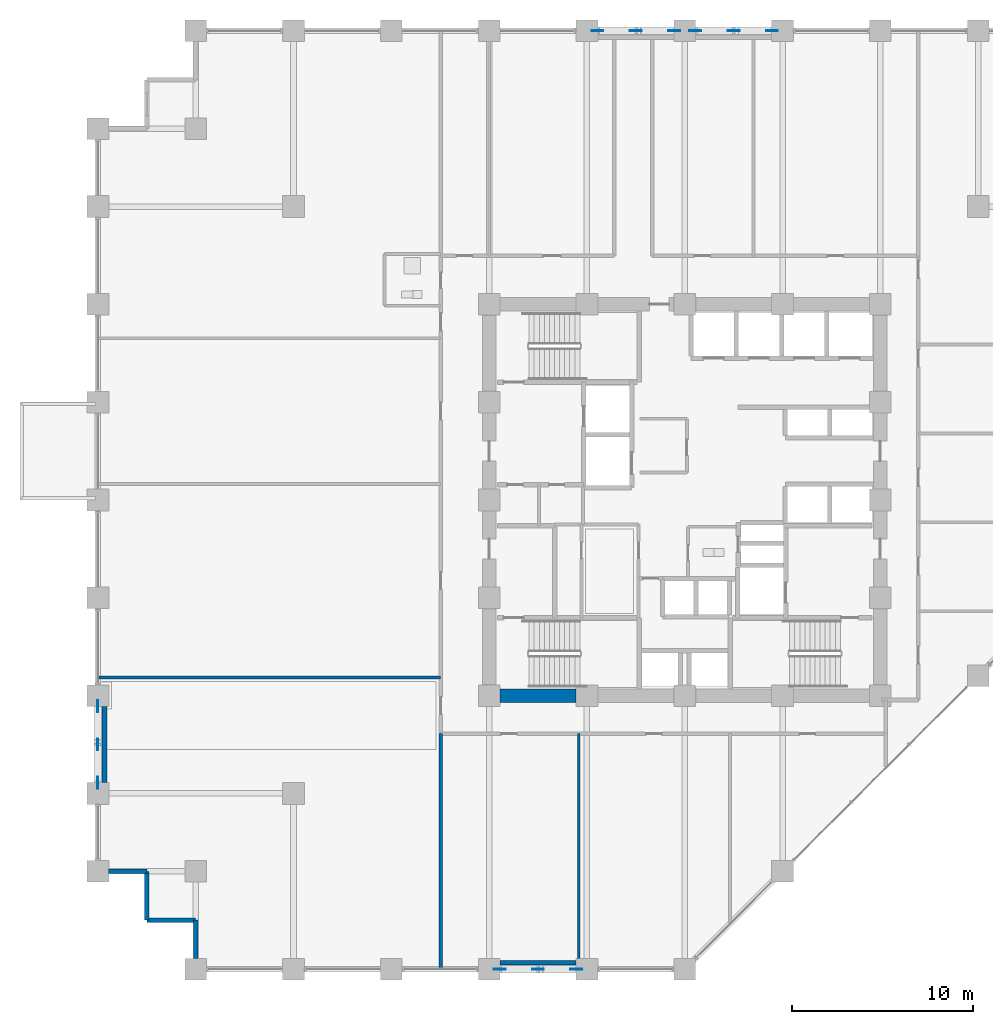
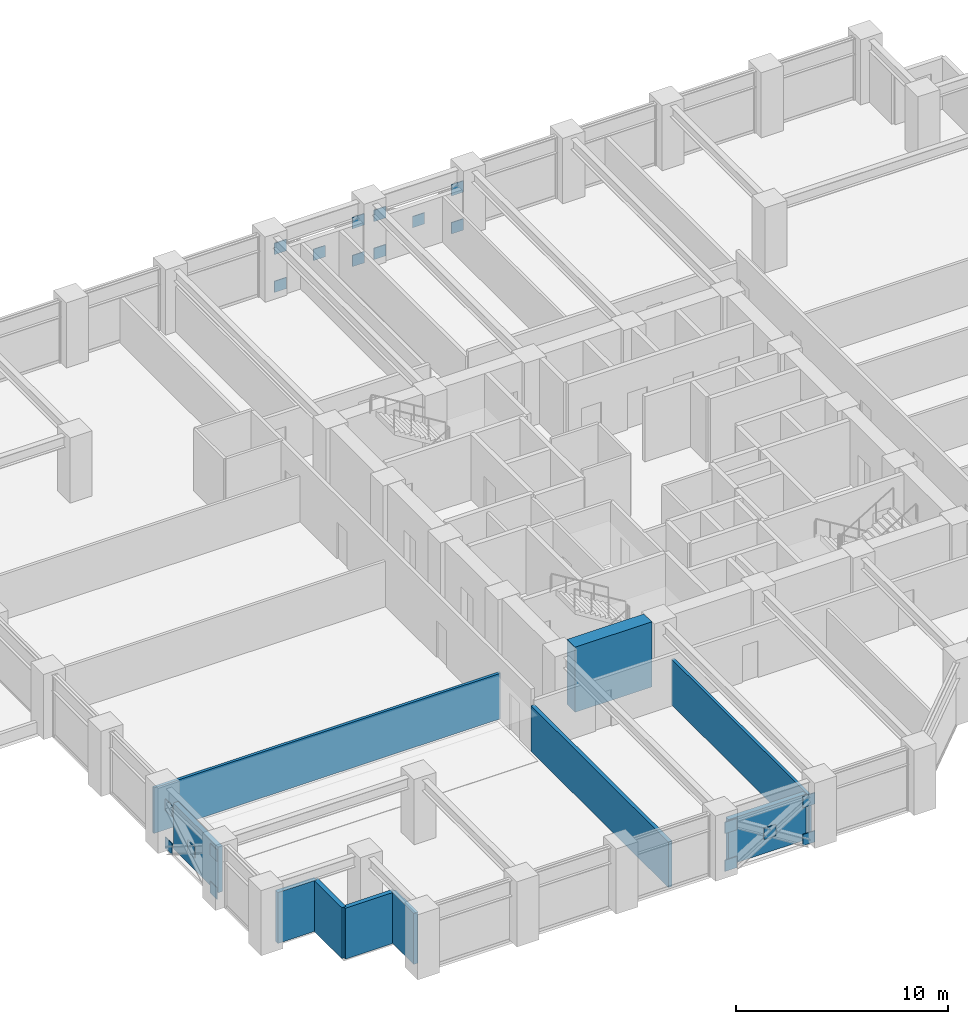
# One storey, part 19 of 26: 20 plates, 10 walls.
"""IFC4 building model written with IfcOpenShell, lengths in metres."""

from ifc_helpers import new_model, si_unit, direction, frame, frame_2d, origin, origin_2d, place, context, subcontext, project, spatial, rectangle, extrude, material, layer, layer_set, type_object, element, save


model = new_model("IFC4")

# Units and contexts
model_context = context("Model", 3, precision=1e-05, world=origin(), true_north=direction((0.0, 1.0)))
body_context = subcontext(model_context, "Body", "Model", "MODEL_VIEW")
ifc_project = project(units=[si_unit("LENGTHUNIT", "METRE"), si_unit("AREAUNIT", "SQUARE_METRE"), si_unit("VOLUMEUNIT", "CUBIC_METRE"), si_unit("PLANEANGLEUNIT", "RADIAN"), si_unit("MASSUNIT", "GRAM", prefix="KILO")], contexts=[model_context])

# Site, building, storey
site_placement = place(None, origin())
site = spatial("IfcSite", under=ifc_project, at=site_placement, CompositionType="ELEMENT")
building_placement = place(site_placement, origin())
building = spatial("IfcBuilding", under=site, at=building_placement, Name="Surkhivell Harbour Commons", CompositionType="ELEMENT")
storey_placement = place(building_placement, frame((0.0, 0.0, 71.25)))
storey = spatial("IfcBuildingStorey", under=building, at=storey_placement, Name="L18", CompositionType="ELEMENT", Elevation=71.25)

# Plates
ifc_material_1 = material(Name="Steel S460", Category="steel")
ifc_layer_1 = layer(ifc_material_1, 0.044921875)
ifc_layer_set_1 = layer_set([ifc_layer_1], Name="Steel S460")
plate_type = type_object("IfcPlateType", Name="PLT-GUS-650", PredefinedType="USERDEFINED", material=ifc_layer_set_1)
for number, where, z_axis, x_axis, name in (
    (1, (-4.81494140625, 25.89990234375, -0.08935546875), (0.0, 0.0, 1.0), (1.0, 0.0, 0.0), "L18 Perimeter Mega-Brace MB- Corner Gusset N-1"),
    (2, (-0.5849609375, 25.89990234375, -0.08935546875), (0.0, 0.0, 1.0), (1.0, 0.0, 0.0), "L18 Perimeter Mega-Brace MB- Corner Gusset N-2"),
    (3, (-4.81494140625, 25.89990234375, 2.094482421875), (0.0, 0.0, 1.0), (1.0, 0.0, 0.0), "L18 Perimeter Mega-Brace MB- Corner Gusset N-3"),
    (4, (-0.5849609375, 25.89990234375, 2.094482421875), (0.0, 0.0, 1.0), (1.0, 0.0, 0.0), "L18 Perimeter Mega-Brace MB- Corner Gusset N-4"),
    (5, (-2.699951171875, 25.89990234375, 1.00244140625), (0.0, 0.0, 1.0), (1.0, 0.0, 0.0), "L18 Perimeter Mega-Brace MB- Central Crossing Gusset N"),
    (6, (0.5849609375, 25.89990234375, -0.08935546875), (0.0, 0.0, 1.0), (1.0, 0.0, 0.0), "L18 Perimeter Mega-Brace MB- Corner Gusset N2-1"),
    (7, (4.81494140625, 25.89990234375, -0.08935546875), (0.0, 0.0, 1.0), (1.0, 0.0, 0.0), "L18 Perimeter Mega-Brace MB- Corner Gusset N2-2"),
    (8, (0.5849609375, 25.89990234375, 2.094482421875), (0.0, 0.0, 1.0), (1.0, 0.0, 0.0), "L18 Perimeter Mega-Brace MB- Corner Gusset N2-3"),
    (9, (4.81494140625, 25.89990234375, 2.094482421875), (0.0, 0.0, 1.0), (1.0, 0.0, 0.0), "L18 Perimeter Mega-Brace MB- Corner Gusset N2-4"),
    (10, (2.699951171875, 25.89990234375, 1.00244140625), (0.0, 0.0, 1.0), (1.0, 0.0, 0.0), "L18 Perimeter Mega-Brace MB- Central Crossing Gusset N2"),
    (11, (-10.215087890625, -25.89990234375, -0.08935546875), (0.0, 0.0, 1.0), (1.0, 0.0, 0.0), "L18 Perimeter Mega-Brace MB- Corner Gusset S-1"),
    (12, (-5.985107421875, -25.89990234375, -0.08935546875), (0.0, 0.0, 1.0), (1.0, 0.0, 0.0), "L18 Perimeter Mega-Brace MB- Corner Gusset S-2"),
    (13, (-10.215087890625, -25.89990234375, 2.094482421875), (0.0, 0.0, 1.0), (1.0, 0.0, 0.0), "L18 Perimeter Mega-Brace MB- Corner Gusset S-3"),
    (14, (-5.985107421875, -25.89990234375, 2.094482421875), (0.0, 0.0, 1.0), (1.0, 0.0, 0.0), "L18 Perimeter Mega-Brace MB- Corner Gusset S-4"),
    (15, (-8.10009765625, -25.89990234375, 1.00244140625), (0.0, 0.0, 1.0), (1.0, 0.0, 0.0), "L18 Perimeter Mega-Brace MB- Central Crossing Gusset S"),
    (16, (-32.39990234375, -15.614990234375, -0.08935546875), (0.0, 0.0, 1.0), (0.0, 1.0, 0.0), "L18 Perimeter Mega-Brace MB- Corner Gusset W-1"),
    (17, (-32.39990234375, -11.385009765625, -0.08935546875), (0.0, 0.0, 1.0), (0.0, 1.0, 0.0), "L18 Perimeter Mega-Brace MB- Corner Gusset W-2"),
    (18, (-32.39990234375, -15.614990234375, 2.094482421875), (0.0, 0.0, 1.0), (0.0, 1.0, 0.0), "L18 Perimeter Mega-Brace MB- Corner Gusset W-3"),
    (19, (-32.39990234375, -11.385009765625, 2.094482421875), (0.0, 0.0, 1.0), (0.0, 1.0, 0.0), "L18 Perimeter Mega-Brace MB- Corner Gusset W-4"),
    (20, (-32.39990234375, -13.5, 1.00244140625), (0.0, 0.0, 1.0), (0.0, 1.0, 0.0), "L18 Perimeter Mega-Brace MB- Central Crossing Gusset W"),
):
    element("IfcPlate", number, at=place(storey_placement, frame(where, z_axis=z_axis, x_axis=x_axis)), inside=storey, type_object=plate_type, Name=name, ObjectType="GUSSET_PLATE", PredefinedType="USERDEFINED", context=body_context, shape_type="SweptSolid", body=[
        extrude(rectangle(XDim=0.64990234375, YDim=0.044921875, at=origin_2d()), origin(), (0.0, 0.0, 1.0), 0.64990234375),
    ])

# Walls
ifc_material_2 = material(Name="Concrete C60/75", Category="concrete")
ifc_layer_2 = layer(ifc_material_2, 0.75)
ifc_layer_set_2 = layer_set([ifc_layer_2], Name="Concrete C60/75")
wall_type_1 = type_object("IfcWallType", Name="WAL-CORE-750", PredefinedType="SHEAR", material=ifc_layer_set_2)
wall_1_placement = place(storey_placement, frame((-10.18994140625, -10.800048828125, 0.0), z_axis=(0.0, 0.0, 1.0), x_axis=(1.0, 0.0, 0.0)))
element("IfcWall", 21, at=wall_1_placement, inside=storey, type_object=wall_type_1, Name="L18 Core Shear Wall South 1", PredefinedType="SHEAR", context=body_context, shape_type="SweptSolid", body=[
    extrude(rectangle(XDim=4.179931640625, YDim=0.75, at=frame_2d((2.08984375, 0.0))), origin(), (0.0, 0.0, 1.0), 3.75),
])
ifc_material_3 = material(Name="Pale-metal insulated precast concrete C45/55", Category="concrete")
ifc_layer_3 = layer(ifc_material_3, 0.260009765625)
ifc_layer_set_3 = layer_set([ifc_layer_3], Name="Pale-metal insulated precast concrete C45/55")
wall_type_2 = type_object("IfcWallType", Name="WAL-EXT-MTL260", PredefinedType="STANDARD", material=ifc_layer_set_3)
wall_2_placement = place(storey_placement, frame((-10.201904296875, -25.5400390625, 0.0), z_axis=(0.0, 0.0, 1.0), x_axis=(1.0, 0.0, 0.0)))
element("IfcWall", 22, at=wall_2_placement, inside=storey, type_object=wall_type_2, Name="L18 Braced-Bay Insulated Spandrel Backing S", PredefinedType="STANDARD", context=body_context, shape_type="SweptSolid", body=[
    extrude(rectangle(XDim=4.203857421875, YDim=0.260009765625, at=frame_2d((2.10205078125, 0.0))), origin(), (0.0, 0.0, 1.0), 2.623046875),
])
wall_3_placement = place(storey_placement, frame((-32.0400390625, -11.39794921875, 0.0), z_axis=(0.0, 0.0, 1.0), x_axis=(0.0, -1.0, 0.0)))
element("IfcWall", 23, at=wall_3_placement, inside=storey, type_object=wall_type_2, Name="L18 Braced-Bay Insulated Spandrel Backing W", PredefinedType="STANDARD", context=body_context, shape_type="SweptSolid", body=[
    extrude(rectangle(XDim=4.2041015625, YDim=0.260009765625, at=frame_2d((2.10205078125, 0.0))), origin(), (0.0, 0.0, 1.0), 2.623046875),
])
ifc_material_4 = material(Name="Bronze-ochre cassette precast concrete C45/55", Category="concrete")
ifc_layer_4 = layer(ifc_material_4, 0.239990234375)
ifc_layer_set_4 = layer_set([ifc_layer_4], Name="Bronze-ochre cassette precast concrete C45/55")
wall_type_3 = type_object("IfcWallType", Name="WAL-EXT-OCH240", PredefinedType="STANDARD", material=ifc_layer_set_4)
wall_4_placement = place(storey_placement, frame((-31.802001953125, -20.5, 0.0), z_axis=(0.0, 0.0, 1.0), x_axis=(1.0, 0.0, 0.0)))
element("IfcWall", 24, at=wall_4_placement, inside=storey, type_object=wall_type_3, Name="L18 Serrated Corner Facade Wall 13", PredefinedType="STANDARD", context=body_context, shape_type="SweptSolid", body=[
    extrude(rectangle(XDim=2.10205078125, YDim=0.239990234375, at=frame_2d((1.051025390625, 0.0))), origin(), (0.0, 0.0, 1.0), 2.929931640625),
])
for number, where, z_axis, x_axis, name in (
    (25, (-29.699951171875, -20.5, 0.0), (0.0, 0.0, 1.0), (0.0, -1.0, 0.0), "L18 Serrated Corner Facade Wall 14"),
    (26, (-29.699951171875, -23.199951171875, 0.0), (0.0, 0.0, 1.0), (1.0, 0.0, 0.0), "L18 Serrated Corner Facade Wall 15"),
):
    element("IfcWall", number, at=place(storey_placement, frame(where, z_axis=z_axis, x_axis=x_axis)), inside=storey, type_object=wall_type_3, Name=name, PredefinedType="STANDARD", context=body_context, shape_type="SweptSolid", body=[
        extrude(rectangle(XDim=2.699951171875, YDim=0.239990234375, at=frame_2d((1.35009765625, 0.0))), origin(), (0.0, 0.0, 1.0), 2.929931640625),
    ])
wall_5_placement = place(storey_placement, frame((-27.0, -23.199951171875, 0.0), z_axis=(0.0, 0.0, 1.0), x_axis=(0.0, -1.0, 0.0)))
element("IfcWall", 27, at=wall_5_placement, inside=storey, type_object=wall_type_3, Name="L18 Serrated Corner Facade Wall 16", PredefinedType="STANDARD", context=body_context, shape_type="SweptSolid", body=[
    extrude(rectangle(XDim=2.10205078125, YDim=0.239990234375, at=frame_2d((1.051025390625, 0.0))), origin(), (0.0, 0.0, 1.0), 2.929931640625),
])
ifc_material_5 = material(Name="Twin-stud acoustic fireboard partition", Category="other")
ifc_layer_5 = layer(ifc_material_5, 0.14990234375)
ifc_layer_set_5 = layer_set([ifc_layer_5], Name="Twin-stud acoustic fireboard partition")
wall_type_4 = type_object("IfcWallType", Name="WAL-INT-150", PredefinedType="PARTITIONING", material=ifc_layer_set_5)
wall_6_placement = place(storey_placement, frame((-5.860107421875, -25.840087890625, 0.0), z_axis=(0.0, 0.0, 1.0), x_axis=(0.0, 1.0, 0.0)))
element("IfcWall", 28, at=wall_6_placement, inside=storey, type_object=wall_type_4, Name="L18 South Partition P1", PredefinedType="PARTITIONING", context=body_context, shape_type="SweptSolid", body=[
    extrude(rectangle(XDim=12.940185546875, YDim=0.14990234375, at=frame_2d((6.47021484375, 0.0))), origin(), (0.0, 0.0, 1.0), 2.623046875),
])
wall_7_placement = place(storey_placement, frame((-32.340087890625, -9.800048828125, 0.0), z_axis=(0.0, 0.0, 1.0), x_axis=(1.0, 0.0, 0.0)))
element("IfcWall", 29, at=wall_7_placement, inside=storey, type_object=wall_type_4, Name="L18 West Partition PBOT", PredefinedType="PARTITIONING", context=body_context, shape_type="SweptSolid", body=[
    extrude(rectangle(XDim=18.860107421875, YDim=0.14990234375, at=frame_2d((9.43017578125, 0.0))), origin(), (0.0, 0.0, 1.0), 2.623046875),
])
ifc_material_6 = material(Name="Autoclaved aerated concrete blockwork and fire plaster", Category="masonry")
ifc_layer_6 = layer(ifc_material_6, 0.199951171875)
ifc_layer_set_6 = layer_set([ifc_layer_6], Name="Autoclaved aerated concrete blockwork and fire plaster")
wall_type_5 = type_object("IfcWallType", Name="WAL-INT-200", PredefinedType="PARTITIONING", material=ifc_layer_set_6)
wall_8_placement = place(storey_placement, frame((-13.47998046875, -25.840087890625, 0.0), z_axis=(0.0, 0.0, 1.0), x_axis=(0.0, 1.0, 0.0)))
element("IfcWall", 30, at=wall_8_placement, inside=storey, type_object=wall_type_5, Name="L18 South-West Wing Corner Divider", PredefinedType="PARTITIONING", context=body_context, shape_type="SweptSolid", body=[
    extrude(rectangle(XDim=12.940185546875, YDim=0.199951171875, at=frame_2d((6.47021484375, 0.0))), origin(), (0.0, 0.0, 1.0), 2.623046875),
])

save(model, "model.ifc")
